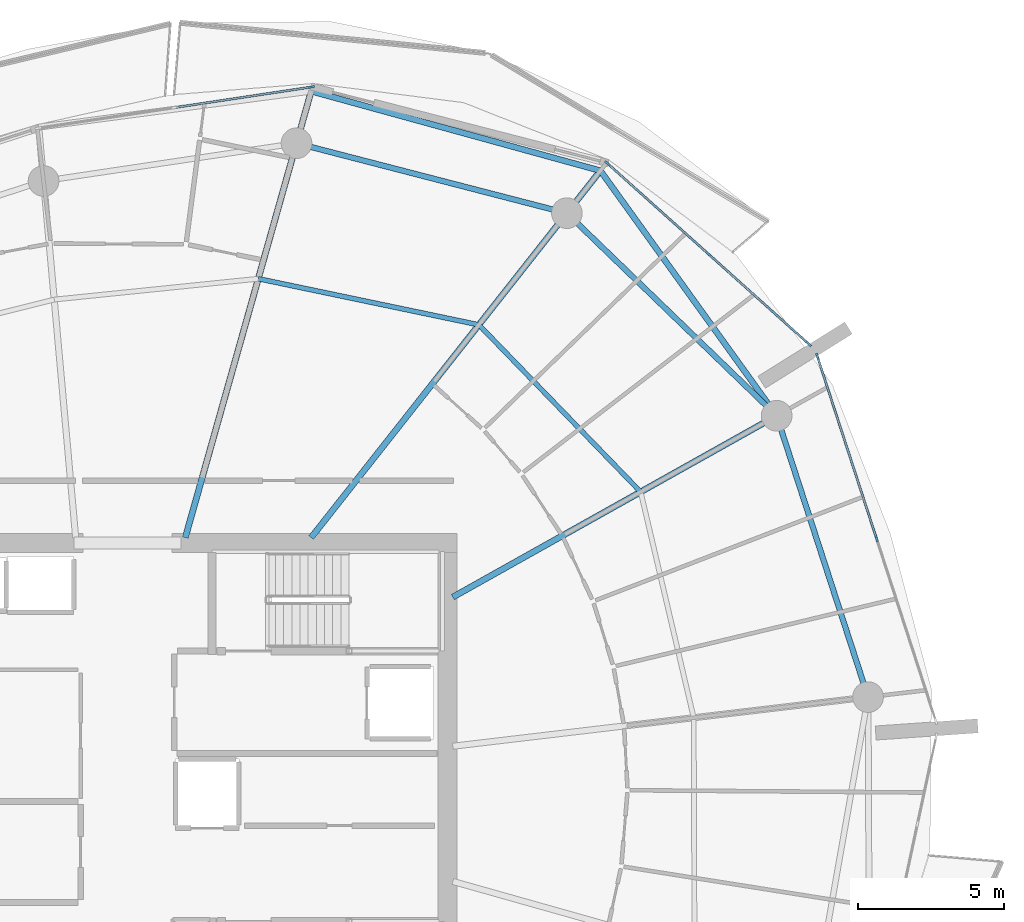
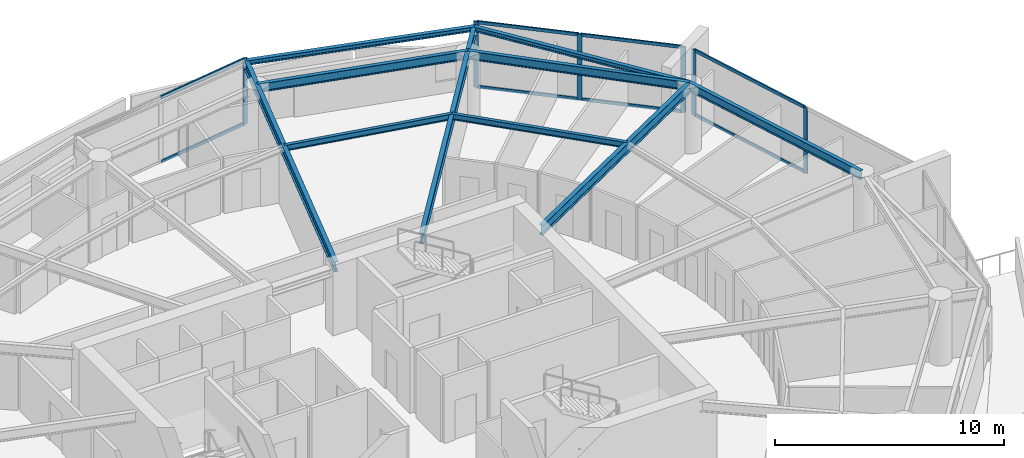
# One storey, part 9 of 21: 14 members, 10 beams, 3 elements without a shape of their own.
"""IFC4 building model written with IfcOpenShell, lengths in metres."""

from ifc_helpers import new_model, si_unit, direction, frame, origin, origin_2d, place, context, subcontext, project, spatial, rectangle, i_section, extrude, material, layer, layer_set, material_profile, profile_set, type_object, element, aggregate, save


model = new_model("IFC4")

# Units and contexts
model_context = context("Model", 3, precision=1e-05, world=origin(), true_north=direction((0.0, 1.0)))
body_context = subcontext(model_context, "Body", "Model", "MODEL_VIEW")
ifc_project = project(units=[si_unit("LENGTHUNIT", "METRE"), si_unit("AREAUNIT", "SQUARE_METRE"), si_unit("VOLUMEUNIT", "CUBIC_METRE"), si_unit("PLANEANGLEUNIT", "RADIAN"), si_unit("MASSUNIT", "GRAM", prefix="KILO")], contexts=[model_context])

# Site, building, storey
site_placement = place(None, origin())
site = spatial("IfcSite", under=ifc_project, at=site_placement, CompositionType="ELEMENT")
building_placement = place(site_placement, origin())
building = spatial("IfcBuilding", under=site, at=building_placement, Name="Kazma Halo Residences", CompositionType="ELEMENT")
storey_placement = place(building_placement, frame((0.0, 0.0, 184.050048828125)))
storey = spatial("IfcBuildingStorey", under=building, at=storey_placement, Name="L46", CompositionType="ELEMENT", Elevation=184.050048828125)

# Beams
ifc_material_1 = material(Name="Steel S355", Category="steel")
ifc_material_profile_1 = material_profile(ifc_material_1, i_section(OverallWidth=0.201904296875, OverallDepth=0.2470703125, WebThickness=0.00732421875, FlangeThickness=0.010986328125, FilletRadius=0.011962890625, at=origin_2d()), Name="W250x49.1")
ifc_profile_set_1 = profile_set([ifc_material_profile_1], Name="Steel S355")
beam_type_1 = type_object("IfcBeamType", Name="BM-BAL-CANT", PredefinedType="BEAM", material=ifc_profile_set_1)
beam_1_placement = place(storey_placement, frame((70.625, 54.670654296875, 3.37646484375), z_axis=(-0.583963922576, 0.811779611181, 0.0), x_axis=(-0.811779611181, -0.583963922576, 0.0)))
element("IfcBeam", 1, at=beam_1_placement, inside=storey, type_object=beam_type_1, Name="L46 wave-balcony lead tie beam 01", PredefinedType="BEAM", context=body_context, shape_type="SweptSolid", body=[
    extrude(i_section(OverallWidth=0.201904296875, OverallDepth=0.2470703125, WebThickness=0.00732421875, FlangeThickness=0.010986328125, FilletRadius=0.011962890625, at=origin_2d()), origin(), (0.0, 0.0, 1.0), 10.324462890625),
])
beam_2_placement = place(storey_placement, frame((64.595947265625, 63.0517578125, 3.37646484375), z_axis=(-0.964197026197, 0.265186905169, 0.0), x_axis=(-0.265186905169, -0.964197026197, 0.0)))
element("IfcBeam", 2, at=beam_2_placement, inside=storey, type_object=beam_type_1, Name="L46 wave-balcony tie beam 02", PredefinedType="BEAM", context=body_context, shape_type="SweptSolid", body=[
    extrude(i_section(OverallWidth=0.201904296875, OverallDepth=0.2470703125, WebThickness=0.00732421875, FlangeThickness=0.010986328125, FilletRadius=0.011962890625, at=origin_2d()), origin(), (0.0, 0.0, 1.0), 10.258544921875),
])
ifc_material_profile_2 = material_profile(ifc_material_1, i_section(OverallWidth=0.208984375, OverallDepth=0.532958984375, WebThickness=0.01025390625, FlangeThickness=0.015625, FilletRadius=0.01611328125, at=origin_2d()), Name="W530x92")
ifc_profile_set_2 = profile_set([ifc_material_profile_2], Name="Steel S355")
beam_type_2 = type_object("IfcBeamType", Name="BM-RAD-W530", PredefinedType="BEAM", material=ifc_profile_set_2)
beam_3_placement = place(storey_placement, frame((59.550048828125, 48.46826171875, 3.2333984375), z_axis=(0.872491912539, 0.488628552742, 0.0), x_axis=(-0.488628552742, 0.872491912539, 0.0)))
element("IfcBeam", 3, at=beam_3_placement, inside=storey, type_object=beam_type_2, Name="L46 radial floor beam 01", PredefinedType="BEAM", context=body_context, shape_type="SweptSolid", body=[
    extrude(i_section(OverallWidth=0.208984375, OverallDepth=0.532958984375, WebThickness=0.01025390625, FlangeThickness=0.015625, FilletRadius=0.01611328125, at=origin_2d()), origin(), (0.0, 0.0, 1.0), 12.693359375),
])
beam_4_placement = place(storey_placement, frame((54.700927734375, 50.5, 3.2333984375), z_axis=(0.61909439419, 0.785316580165, 0.0), x_axis=(-0.785316580165, 0.61909439419, 0.0)))
element("IfcBeam", 4, at=beam_4_placement, inside=storey, type_object=beam_type_2, Name="L46 radial floor beam 02", PredefinedType="BEAM", context=body_context, shape_type="SweptSolid", body=[
    extrude(i_section(OverallWidth=0.208984375, OverallDepth=0.532958984375, WebThickness=0.01025390625, FlangeThickness=0.015625, FilletRadius=0.01611328125, at=origin_2d()), origin(), (0.0, 0.0, 1.0), 15.983154296875),
])
beam_5_placement = place(storey_placement, frame((50.397216796875, 50.5, 3.2333984375), z_axis=(0.271449932859, 0.962452561922, 0.0), x_axis=(-0.962452561922, 0.271449932859, 0.0)))
element("IfcBeam", 5, at=beam_5_placement, inside=storey, type_object=beam_type_2, Name="L46 radial floor beam 03", PredefinedType="BEAM", context=body_context, shape_type="SweptSolid", body=[
    extrude(i_section(OverallWidth=0.208984375, OverallDepth=0.532958984375, WebThickness=0.01025390625, FlangeThickness=0.015625, FilletRadius=0.01611328125, at=origin_2d()), origin(), (0.0, 0.0, 1.0), 15.867919921875),
])
ifc_material_profile_3 = material_profile(ifc_material_1, i_section(OverallWidth=0.1650390625, OverallDepth=0.31005859375, WebThickness=0.005859375, FlangeThickness=0.009765625, FilletRadius=0.011962890625, at=origin_2d()), Name="W310x38.7")
ifc_profile_set_3 = profile_set([ifc_material_profile_3], Name="Steel S355")
beam_type_3 = type_object("IfcBeamType", Name="BM-SEC-W310B", PredefinedType="JOIST", material=ifc_profile_set_3)
beam_6_placement = place(storey_placement, frame((65.9736328125, 52.065673828125, 3.344970703125), z_axis=(-0.695659633946, 0.718371542934, 0.0), x_axis=(-0.718371542934, -0.695659633946, 0.0)))
element("IfcBeam", 6, at=beam_6_placement, inside=storey, type_object=beam_type_3, Name="L46 circumferential floor joist 01", PredefinedType="JOIST", context=body_context, shape_type="SweptSolid", body=[
    extrude(i_section(OverallWidth=0.1650390625, OverallDepth=0.31005859375, WebThickness=0.005859375, FlangeThickness=0.009765625, FilletRadius=0.011962890625, at=origin_2d()), origin(), (0.0, 0.0, 1.0), 7.95458984375),
])
beam_7_placement = place(storey_placement, frame((60.43994140625, 57.780029296875, 3.344970703125), z_axis=(-0.978821484976, 0.204715657802, 0.0), x_axis=(-0.204715657802, -0.978821484976, 0.0)))
element("IfcBeam", 7, at=beam_7_placement, inside=storey, type_object=beam_type_3, Name="L46 circumferential floor joist 02", PredefinedType="JOIST", context=body_context, shape_type="SweptSolid", body=[
    extrude(i_section(OverallWidth=0.1650390625, OverallDepth=0.31005859375, WebThickness=0.005859375, FlangeThickness=0.009765625, FilletRadius=0.011962890625, at=origin_2d()), origin(), (0.0, 0.0, 1.0), 7.707763671875),
])
ifc_material_profile_4 = material_profile(ifc_material_1, i_section(OverallWidth=0.18994140625, OverallDepth=0.45703125, WebThickness=0.009033203125, FlangeThickness=0.014404296875, FilletRadius=0.01611328125, at=origin_2d()), Name="W460x74")
ifc_profile_set_4 = profile_set([ifc_material_profile_4], Name="Steel S355")
beam_type_4 = type_object("IfcBeamType", Name="BM-SPN-W460", PredefinedType="BEAM", material=ifc_profile_set_4)
beam_8_placement = place(storey_placement, frame((70.625, 54.670654296875, 3.271484375), z_axis=(-0.71933650181, 0.694661786169, 0.0), x_axis=(-0.694661786169, -0.71933650181, 0.0)))
element("IfcBeam", 8, at=beam_8_placement, inside=storey, type_object=beam_type_4, Name="L46 perimeter ring beam 01", PredefinedType="BEAM", context=body_context, shape_type="SweptSolid", body=[
    extrude(i_section(OverallWidth=0.18994140625, OverallDepth=0.45703125, WebThickness=0.009033203125, FlangeThickness=0.014404296875, FilletRadius=0.01611328125, at=origin_2d()), origin(), (0.0, 0.0, 1.0), 9.9736328125),
])
beam_9_placement = place(storey_placement, frame((63.45068359375, 61.598876953125, 3.271484375), z_axis=(-0.968120950739, 0.25048318255, 0.0), x_axis=(-0.25048318255, -0.968120950739, 0.0)))
element("IfcBeam", 9, at=beam_9_placement, inside=storey, type_object=beam_type_4, Name="L46 perimeter ring beam 02", PredefinedType="BEAM", context=body_context, shape_type="SweptSolid", body=[
    extrude(i_section(OverallWidth=0.18994140625, OverallDepth=0.45703125, WebThickness=0.009033203125, FlangeThickness=0.014404296875, FilletRadius=0.01611328125, at=origin_2d()), origin(), (0.0, 0.0, 1.0), 9.552734375),
])
beam_10_placement = place(storey_placement, frame((73.751708984375, 45.0478515625, 3.271484375), z_axis=(-0.309023327426, 0.951054458539, 0.0), x_axis=(-0.951054458539, -0.309023327426, 0.0)))
element("IfcBeam", 10, at=beam_10_placement, inside=storey, type_object=beam_type_4, Name="L46 perimeter ring beam 16", PredefinedType="BEAM", context=body_context, shape_type="SweptSolid", body=[
    extrude(i_section(OverallWidth=0.18994140625, OverallDepth=0.45703125, WebThickness=0.009033203125, FlangeThickness=0.014404296875, FilletRadius=0.01611328125, at=origin_2d()), origin(), (0.0, 0.0, 1.0), 10.117919921875),
])

# Curtain wall, members
ifc_material_2 = material(Name="Aluminium AW-6063 T6 and Triple-Silver Low-E Glass", Category="aluminium")
ifc_layer = layer(ifc_material_2, 0.219970703125)
ifc_layer_set = layer_set([ifc_layer], Name="Aluminium AW-6063 T6 and Triple-Silver Low-E Glass")
curtain_wall_type = type_object("IfcCurtainWallType", Name="CW-SYS-4", PredefinedType="NOTDEFINED", material=ifc_layer_set)
curtain_wall_1_placement = place(storey_placement, origin())
curtain_wall_1 = element("IfcCurtainWall", 11, at=curtain_wall_1_placement, inside=storey, type_object=curtain_wall_type, Name="L46 unitised curtain wall B01", PredefinedType="NOTDEFINED")
ifc_material_3 = material(Name="Aluminium AW-6063 T6", Category="aluminium")
ifc_material_profile_5 = material_profile(ifc_material_3, rectangle(XDim=0.074951171875, YDim=0.219970703125, at=origin_2d()), Name="CWM-75x220")
ifc_profile_set_5 = profile_set([ifc_material_profile_5], Name="Aluminium AW-6063 T6")
member_type_1 = type_object("IfcMemberType", Name="CW-SYS-4-MUL", PredefinedType="MULLION", material=ifc_profile_set_5)
member_1_placement = place(storey_placement, frame((71.7216796875, 57.126220703125, 0.0), z_axis=(0.0, 0.0, 1.0), x_axis=(-0.667784328806, -0.744354814723, 0.0)))
member_1 = element("IfcMember", 12, at=member_1_placement, type_object=member_type_1, Name="CWS-4 mullion 1", PredefinedType="MULLION", context=body_context, shape_type="SweptSolid", body=[
    extrude(rectangle(XDim=0.074951171875, YDim=0.219970703125, at=origin_2d()), origin(), (0.0, 0.0, 1.0), 3.5),
])
member_2_placement = place(storey_placement, frame((68.280517578125, 60.213134765625, 0.0), z_axis=(0.0, 0.0, 1.0), x_axis=(-0.667784328806, -0.744354814723, 0.0)))
member_2 = element("IfcMember", 13, at=member_2_placement, type_object=member_type_1, Name="CWS-4 mullion 2", PredefinedType="MULLION", context=body_context, shape_type="SweptSolid", body=[
    extrude(rectangle(XDim=0.074951171875, YDim=0.219970703125, at=origin_2d()), origin(), (0.0, 0.0, 1.0), 3.5),
])
member_3_placement = place(storey_placement, frame((64.839599609375, 63.30029296875, 0.0), z_axis=(0.0, 0.0, 1.0), x_axis=(-0.667784328806, -0.744354814723, 0.0)))
member_3 = element("IfcMember", 14, at=member_3_placement, type_object=member_type_1, Name="CWS-4 mullion 3", PredefinedType="MULLION", context=body_context, shape_type="SweptSolid", body=[
    extrude(rectangle(XDim=0.074951171875, YDim=0.219970703125, at=origin_2d()), origin(), (0.0, 0.0, 1.0), 3.5),
])

# Curtain wall, member
curtain_wall_2_placement = place(storey_placement, origin())
curtain_wall_2 = element("IfcCurtainWall", 15, at=curtain_wall_2_placement, inside=storey, type_object=curtain_wall_type, Name="L46 unitised curtain wall B03", PredefinedType="NOTDEFINED")
member_4_placement = place(storey_placement, frame((54.708740234375, 65.913330078125, 0.0), z_axis=(0.0, 0.0, 1.0), x_axis=(0.148772639188, -0.988871428361, 0.0)))
member_4 = element("IfcMember", 16, at=member_4_placement, type_object=member_type_1, Name="CWS-4 mullion 1", PredefinedType="MULLION", context=body_context, shape_type="SweptSolid", body=[
    extrude(rectangle(XDim=0.074951171875, YDim=0.219970703125, at=origin_2d()), origin(), (0.0, 0.0, 1.0), 3.5),
])

# Curtain wall, members
curtain_wall_3_placement = place(storey_placement, origin())
curtain_wall_3 = element("IfcCurtainWall", 17, at=curtain_wall_3_placement, inside=storey, type_object=curtain_wall_type, Name="L46 unitised curtain wall B16", PredefinedType="NOTDEFINED")
member_5_placement = place(storey_placement, frame((74.04345703125, 50.4619140625, 0.0), z_axis=(0.0, 0.0, 1.0), x_axis=(-0.951056893636, -0.309015833038, 0.0)))
member_5 = element("IfcMember", 18, at=member_5_placement, type_object=member_type_1, Name="CWS-4 mullion 2", PredefinedType="MULLION", context=body_context, shape_type="SweptSolid", body=[
    extrude(rectangle(XDim=0.074951171875, YDim=0.219970703125, at=origin_2d()), origin(), (0.0, 0.0, 1.0), 3.5),
])
member_6_placement = place(storey_placement, frame((72.015625, 56.702880859375, 0.0), z_axis=(0.0, 0.0, 1.0), x_axis=(-0.951056893636, -0.309015833038, 0.0)))
member_6 = element("IfcMember", 19, at=member_6_placement, type_object=member_type_1, Name="CWS-4 mullion 3", PredefinedType="MULLION", context=body_context, shape_type="SweptSolid", body=[
    extrude(rectangle(XDim=0.074951171875, YDim=0.219970703125, at=origin_2d()), origin(), (0.0, 0.0, 1.0), 3.5),
])

# Member
ifc_material_profile_6 = material_profile(ifc_material_3, rectangle(XDim=0.074951171875, YDim=0.1650390625, at=origin_2d()), Name="CWT-75x165")
ifc_profile_set_6 = profile_set([ifc_material_profile_6], Name="Aluminium AW-6063 T6")
member_type_2 = type_object("IfcMemberType", Name="CW-SYS-4-TRN", PredefinedType="USERDEFINED", material=ifc_profile_set_6)
member_7_placement = place(storey_placement, frame((71.69384765625, 57.151123046875, 0.037353515625), z_axis=(-0.744344906673, 0.667795372783, 0.0), x_axis=(-0.667795372783, -0.744344906673, 0.0)))
member_7 = element("IfcMember", 20, at=member_7_placement, type_object=member_type_2, Name="CWS-4 transom 1.1", ObjectType="TRANSOM", PredefinedType="USERDEFINED", context=body_context, shape_type="SweptSolid", body=[
    extrude(rectangle(XDim=0.074951171875, YDim=0.1650390625, at=origin_2d()), origin(), (0.0, 0.0, 1.0), 4.5478515625),
])

member_8_placement = place(storey_placement, frame((71.69384765625, 57.151123046875, 3.46240234375), z_axis=(-0.744344906673, 0.667795372783, 0.0), x_axis=(-0.667795372783, -0.744344906673, 0.0)))
member_8 = element("IfcMember", 21, at=member_8_placement, type_object=member_type_2, Name="CWS-4 transom 1.2", ObjectType="TRANSOM", PredefinedType="USERDEFINED", context=body_context, shape_type="SweptSolid", body=[
    extrude(rectangle(XDim=0.074951171875, YDim=0.1650390625, at=origin_2d()), origin(), (0.0, 0.0, 1.0), 4.5478515625),
])

member_9_placement = place(storey_placement, frame((68.252685546875, 60.23828125, 0.037353515625), z_axis=(-0.744344906673, 0.667795372783, 0.0), x_axis=(-0.667795372783, -0.744344906673, 0.0)))
member_9 = element("IfcMember", 22, at=member_9_placement, type_object=member_type_2, Name="CWS-4 transom 2.1", ObjectType="TRANSOM", PredefinedType="USERDEFINED", context=body_context, shape_type="SweptSolid", body=[
    extrude(rectangle(XDim=0.074951171875, YDim=0.1650390625, at=origin_2d()), origin(), (0.0, 0.0, 1.0), 4.5478515625),
])

member_10_placement = place(storey_placement, frame((68.252685546875, 60.23828125, 3.46240234375), z_axis=(-0.744344906673, 0.667795372783, 0.0), x_axis=(-0.667795372783, -0.744344906673, 0.0)))
member_10 = element("IfcMember", 23, at=member_10_placement, type_object=member_type_2, Name="CWS-4 transom 2.2", ObjectType="TRANSOM", PredefinedType="USERDEFINED", context=body_context, shape_type="SweptSolid", body=[
    extrude(rectangle(XDim=0.074951171875, YDim=0.1650390625, at=origin_2d()), origin(), (0.0, 0.0, 1.0), 4.5478515625),
])

aggregate(curtain_wall_1, [member_1, member_2, member_3, member_7, member_8, member_9, member_10])

member_11_placement = place(storey_placement, frame((54.671630859375, 65.907958984375, 0.037353515625), z_axis=(-0.988867623216, -0.148797929272, 0.0), x_axis=(0.148797929272, -0.988867623216, 0.0)))
member_11 = element("IfcMember", 24, at=member_11_placement, type_object=member_type_2, Name="CWS-4 transom 1.1", ObjectType="TRANSOM", PredefinedType="USERDEFINED", context=body_context, shape_type="SweptSolid", body=[
    extrude(rectangle(XDim=0.074951171875, YDim=0.1650390625, at=origin_2d()), origin(), (0.0, 0.0, 1.0), 4.64501953125),
])

member_12_placement = place(storey_placement, frame((54.671630859375, 65.907958984375, 3.46240234375), z_axis=(-0.988867623216, -0.148797929272, 0.0), x_axis=(0.148797929272, -0.988867623216, 0.0)))
member_12 = element("IfcMember", 25, at=member_12_placement, type_object=member_type_2, Name="CWS-4 transom 1.2", ObjectType="TRANSOM", PredefinedType="USERDEFINED", context=body_context, shape_type="SweptSolid", body=[
    extrude(rectangle(XDim=0.074951171875, YDim=0.1650390625, at=origin_2d()), origin(), (0.0, 0.0, 1.0), 4.64501953125),
])

aggregate(curtain_wall_2, [member_4, member_11, member_12])

member_13_placement = place(storey_placement, frame((74.031982421875, 50.49755859375, 0.037353515625), z_axis=(-0.309015440644, 0.951057021132, 0.0), x_axis=(-0.951057021132, -0.309015440644, 0.0)))
member_13 = element("IfcMember", 26, at=member_13_placement, type_object=member_type_2, Name="CWS-4 transom 2.1", ObjectType="TRANSOM", PredefinedType="USERDEFINED", context=body_context, shape_type="SweptSolid", body=[
    extrude(rectangle(XDim=0.074951171875, YDim=0.1650390625, at=origin_2d()), origin(), (0.0, 0.0, 1.0), 6.487060546875),
])

member_14_placement = place(storey_placement, frame((74.031982421875, 50.49755859375, 3.46240234375), z_axis=(-0.309015440644, 0.951057021132, 0.0), x_axis=(-0.951057021132, -0.309015440644, 0.0)))
member_14 = element("IfcMember", 27, at=member_14_placement, type_object=member_type_2, Name="CWS-4 transom 2.2", ObjectType="TRANSOM", PredefinedType="USERDEFINED", context=body_context, shape_type="SweptSolid", body=[
    extrude(rectangle(XDim=0.074951171875, YDim=0.1650390625, at=origin_2d()), origin(), (0.0, 0.0, 1.0), 6.487060546875),
])

aggregate(curtain_wall_3, [member_5, member_6, member_13, member_14])

save(model, "model.ifc")
